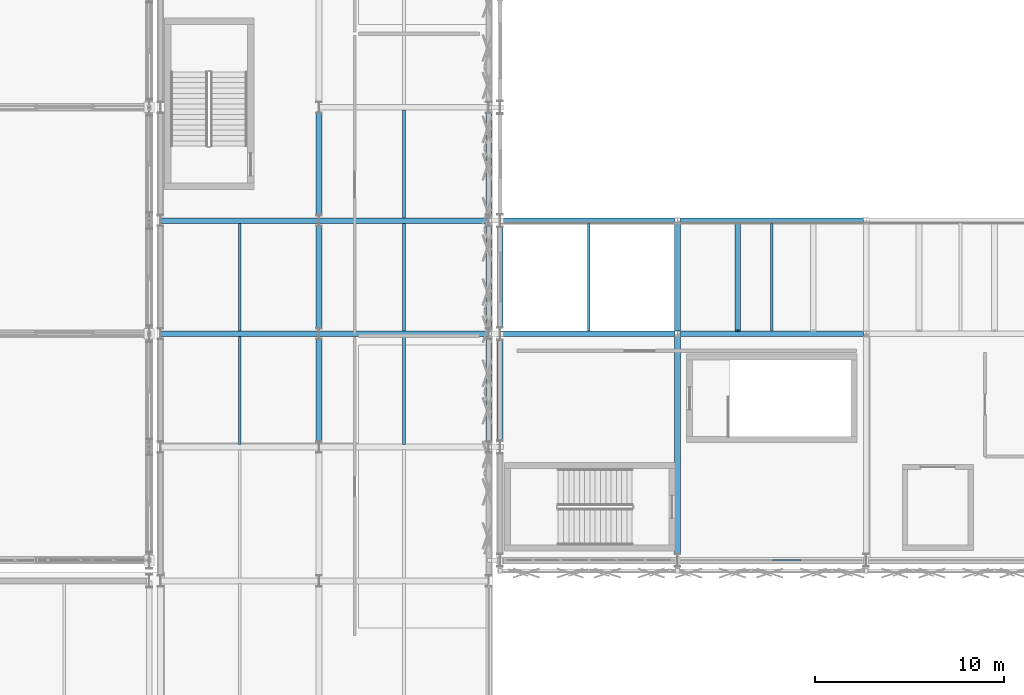
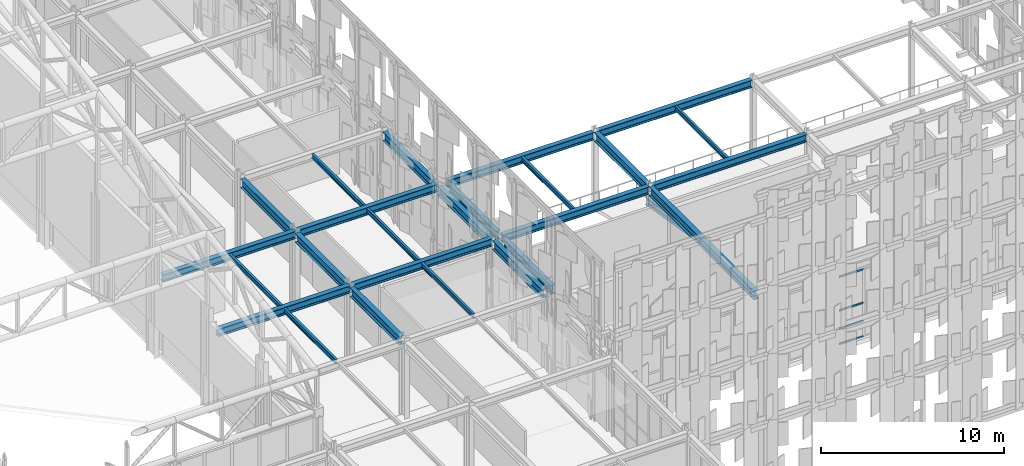
# One storey, part 159 of 239: 26 beams, 4 members, 1 element without a shape of its own.
"""IFC4 building model written with IfcOpenShell, lengths in metres."""

from ifc_helpers import new_model, si_unit, direction, frame, origin, origin_2d, place, context, subcontext, project, spatial, hollow_rectangle, i_section, extrude, material, material_profile, profile_set, type_object, element, aggregate, save


model = new_model("IFC4")

# Units and contexts
model_context = context("Model", 3, precision=1e-05, world=origin(), true_north=direction((0.0, 1.0)))
body_context = subcontext(model_context, "Body", "Model", "MODEL_VIEW")
ifc_project = project(units=[si_unit("LENGTHUNIT", "METRE"), si_unit("AREAUNIT", "SQUARE_METRE"), si_unit("VOLUMEUNIT", "CUBIC_METRE"), si_unit("PLANEANGLEUNIT", "RADIAN"), si_unit("MASSUNIT", "GRAM", prefix="KILO")], contexts=[model_context])

# Site, building, storey
site_placement = place(None, origin())
site = spatial("IfcSite", under=ifc_project, at=site_placement, CompositionType="ELEMENT")
building_placement = place(site_placement, origin())
building = spatial("IfcBuilding", under=site, at=building_placement, Name="Kaldris Quays Convention Centre", CompositionType="ELEMENT")
storey_placement = place(building_placement, frame((0.0, 0.0, 11.39990234375)))
storey = spatial("IfcBuildingStorey", under=building, at=storey_placement, Name="L02", CompositionType="ELEMENT", Elevation=11.39990234375)

# Curtain wall, members
ifc_material_1 = material(Name="Anodized aluminium AW-6060 and triple glazing", Category="aluminium")
curtain_wall_type = type_object("IfcCurtainWallType", Name="UNITISED CURTAIN WALL CW01", PredefinedType="NOTDEFINED", material=ifc_material_1)
curtain_wall_placement = place(storey_placement, origin())
curtain_wall = element("IfcCurtainWall", 1, at=curtain_wall_placement, inside=storey, type_object=curtain_wall_type, Name="L02 Unitised Curtain Wall CW01 30", PredefinedType="NOTDEFINED")
ifc_material_2 = material(Name="Anodized aluminium AW-6060", Category="aluminium")
ifc_material_profile_1 = material_profile(ifc_material_2, hollow_rectangle(XDim=0.06005859375, YDim=0.1201171875, WallThickness=0.00390625, at=origin_2d()), Name="RHS 120x60x4")
ifc_profile_set_1 = profile_set([ifc_material_profile_1], Name="Anodized aluminium AW-6060")
member_type = type_object("IfcMemberType", Name="CURTAIN TRANSOM CWT1", PredefinedType="USERDEFINED", material=ifc_profile_set_1)
member_1_placement = place(storey_placement, frame((179.030029296875, 56.0, 0.030029296875), z_axis=(1.0, 0.0, 0.0), x_axis=(0.0, 1.0, 0.0)))
member_1 = element("IfcMember", 2, at=member_1_placement, type_object=member_type, Name="CW01 transom 4.1", ObjectType="TRANSOM", PredefinedType="USERDEFINED", context=body_context, shape_type="SweptSolid", body=[
    extrude(hollow_rectangle(XDim=0.06005859375, YDim=0.1201171875, WallThickness=0.00390625, at=origin_2d()), origin(), (0.0, 0.0, 1.0), 1.523193359375),
])
member_2_placement = place(storey_placement, frame((179.030029296875, 56.0, 1.050048828125), z_axis=(1.0, 0.0, 0.0), x_axis=(0.0, 1.0, 0.0)))
member_2 = element("IfcMember", 3, at=member_2_placement, type_object=member_type, Name="CW01 transom 4.2", ObjectType="TRANSOM", PredefinedType="USERDEFINED", context=body_context, shape_type="SweptSolid", body=[
    extrude(hollow_rectangle(XDim=0.06005859375, YDim=0.1201171875, WallThickness=0.00390625, at=origin_2d()), origin(), (0.0, 0.0, 1.0), 1.523193359375),
])
member_3_placement = place(storey_placement, frame((179.030029296875, 56.0, 2.274169921875), z_axis=(1.0, 0.0, 0.0), x_axis=(0.0, 1.0, 0.0)))
member_3 = element("IfcMember", 4, at=member_3_placement, type_object=member_type, Name="CW01 transom 4.3", ObjectType="TRANSOM", PredefinedType="USERDEFINED", context=body_context, shape_type="SweptSolid", body=[
    extrude(hollow_rectangle(XDim=0.06005859375, YDim=0.1201171875, WallThickness=0.00390625, at=origin_2d()), origin(), (0.0, 0.0, 1.0), 1.523193359375),
])
member_4_placement = place(storey_placement, frame((179.030029296875, 56.0, 4.51806640625), z_axis=(1.0, 0.0, 0.0), x_axis=(0.0, 1.0, 0.0)))
member_4 = element("IfcMember", 5, at=member_4_placement, type_object=member_type, Name="CW01 transom 4.4", ObjectType="TRANSOM", PredefinedType="USERDEFINED", context=body_context, shape_type="SweptSolid", body=[
    extrude(hollow_rectangle(XDim=0.06005859375, YDim=0.1201171875, WallThickness=0.00390625, at=origin_2d()), origin(), (0.0, 0.0, 1.0), 1.523193359375),
])
aggregate(curtain_wall, [member_1, member_2, member_3, member_4])

# Beams
ifc_material_3 = material(Name="Steel S355J2", Category="steel")
ifc_material_profile_2 = material_profile(ifc_material_3, i_section(OverallWidth=0.300048828125, OverallDepth=0.5, WebThickness=0.014404296875, FlangeThickness=0.028076171875, FilletRadius=0.027099609375, at=origin_2d()), Name="HEB 500")
ifc_profile_set_2 = profile_set([ifc_material_profile_2], Name="Steel S355J2")
beam_type_1 = type_object("IfcBeamType", Name="STRUCTURAL BEAM BM06", PredefinedType="BEAM", material=ifc_profile_set_2)
beam_1_placement = place(storey_placement, frame((146.601806640625, 68.0, 4.9130859375), z_axis=(1.0, 0.0, 0.0), x_axis=(0.0, 1.0, 0.0)))
element("IfcBeam", 6, at=beam_1_placement, inside=storey, type_object=beam_type_1, Name="L02 Girder BM06 30", PredefinedType="BEAM", context=body_context, shape_type="SweptSolid", body=[
    extrude(i_section(OverallWidth=0.300048828125, OverallDepth=0.5, WebThickness=0.014404296875, FlangeThickness=0.028076171875, FilletRadius=0.027099609375, at=origin_2d()), origin(), (0.0, 0.0, 1.0), 8.396484375),
])
beam_2_placement = place(storey_placement, frame((155.001708984375, 68.0, 4.9130859375), z_axis=(1.0, 0.0, 0.0), x_axis=(0.0, 1.0, 0.0)))
element("IfcBeam", 7, at=beam_2_placement, inside=storey, type_object=beam_type_1, Name="L02 Girder BM06 31", PredefinedType="BEAM", context=body_context, shape_type="SweptSolid", body=[
    extrude(i_section(OverallWidth=0.300048828125, OverallDepth=0.5, WebThickness=0.014404296875, FlangeThickness=0.028076171875, FilletRadius=0.027099609375, at=origin_2d()), origin(), (0.0, 0.0, 1.0), 8.99658203125),
])
beam_3_placement = place(storey_placement, frame((146.601806640625, 74.0, 4.9130859375), z_axis=(1.0, 0.0, 0.0), x_axis=(0.0, 1.0, 0.0)))
element("IfcBeam", 8, at=beam_3_placement, inside=storey, type_object=beam_type_1, Name="L02 Girder BM06 32", PredefinedType="BEAM", context=body_context, shape_type="SweptSolid", body=[
    extrude(i_section(OverallWidth=0.300048828125, OverallDepth=0.5, WebThickness=0.014404296875, FlangeThickness=0.028076171875, FilletRadius=0.027099609375, at=origin_2d()), origin(), (0.0, 0.0, 1.0), 8.396484375),
])
beam_4_placement = place(storey_placement, frame((155.001708984375, 74.0, 4.9130859375), z_axis=(1.0, 0.0, 0.0), x_axis=(0.0, 1.0, 0.0)))
element("IfcBeam", 9, at=beam_4_placement, inside=storey, type_object=beam_type_1, Name="L02 Girder BM06 33", PredefinedType="BEAM", context=body_context, shape_type="SweptSolid", body=[
    extrude(i_section(OverallWidth=0.300048828125, OverallDepth=0.5, WebThickness=0.014404296875, FlangeThickness=0.028076171875, FilletRadius=0.027099609375, at=origin_2d()), origin(), (0.0, 0.0, 1.0), 8.99658203125),
])
beam_5_placement = place(storey_placement, frame((164.6025390625, 68.0, 4.9130859375), z_axis=(1.0, 0.0, 0.0), x_axis=(0.0, 1.0, 0.0)))
element("IfcBeam", 10, at=beam_5_placement, inside=storey, type_object=beam_type_1, Name="L02 Girder BM06 5", PredefinedType="BEAM", context=body_context, shape_type="SweptSolid", body=[
    extrude(i_section(OverallWidth=0.300048828125, OverallDepth=0.5, WebThickness=0.014404296875, FlangeThickness=0.028076171875, FilletRadius=0.027099609375, at=origin_2d()), origin(), (0.0, 0.0, 1.0), 9.25341796875),
])
beam_6_placement = place(storey_placement, frame((174.14404296875, 68.0, 4.9130859375), z_axis=(1.0, 0.0, 0.0), x_axis=(0.0, 1.0, 0.0)))
element("IfcBeam", 11, at=beam_6_placement, inside=storey, type_object=beam_type_1, Name="L02 Girder BM06 6", PredefinedType="BEAM", context=body_context, shape_type="SweptSolid", body=[
    extrude(i_section(OverallWidth=0.300048828125, OverallDepth=0.5, WebThickness=0.014404296875, FlangeThickness=0.028076171875, FilletRadius=0.027099609375, at=origin_2d()), origin(), (0.0, 0.0, 1.0), 9.7119140625),
])
beam_7_placement = place(storey_placement, frame((164.6025390625, 74.0, 4.9130859375), z_axis=(1.0, 0.0, 0.0), x_axis=(0.0, 1.0, 0.0)))
element("IfcBeam", 12, at=beam_7_placement, inside=storey, type_object=beam_type_1, Name="L02 Girder BM06 9", PredefinedType="BEAM", context=body_context, shape_type="SweptSolid", body=[
    extrude(i_section(OverallWidth=0.300048828125, OverallDepth=0.5, WebThickness=0.014404296875, FlangeThickness=0.028076171875, FilletRadius=0.027099609375, at=origin_2d()), origin(), (0.0, 0.0, 1.0), 9.25341796875),
])
beam_8_placement = place(storey_placement, frame((174.14404296875, 74.0, 4.9130859375), z_axis=(1.0, 0.0, 0.0), x_axis=(0.0, 1.0, 0.0)))
element("IfcBeam", 13, at=beam_8_placement, inside=storey, type_object=beam_type_1, Name="L02 Girder BM06 10", PredefinedType="BEAM", context=body_context, shape_type="SweptSolid", body=[
    extrude(i_section(OverallWidth=0.300048828125, OverallDepth=0.5, WebThickness=0.014404296875, FlangeThickness=0.028076171875, FilletRadius=0.027099609375, at=origin_2d()), origin(), (0.0, 0.0, 1.0), 9.7119140625),
])
ifc_material_profile_3 = material_profile(ifc_material_3, i_section(OverallWidth=0.300048828125, OverallDepth=0.590087890625, WebThickness=0.012939453125, FlangeThickness=0.02490234375, FilletRadius=0.027099609375, at=origin_2d()), Name="HEA 600")
ifc_profile_set_3 = profile_set([ifc_material_profile_3], Name="Steel S355J2")
beam_type_2 = type_object("IfcBeamType", Name="STRUCTURAL BEAM BM08", PredefinedType="BEAM", material=ifc_profile_set_3)
for number, where, z_axis, x_axis, name in (
    (14, (155.0, 62.2939453125, 4.8681640625), (0.0, 1.0, 0.0), (-1.0, 0.0, 0.0), "L02 Girder BM08 81"),
    (15, (155.0, 68.2939453125, 4.8681640625), (0.0, 1.0, 0.0), (-1.0, 0.0, 0.0), "L02 Girder BM08 82"),
    (16, (155.0, 74.2939453125, 4.8681640625), (0.0, 1.0, 0.0), (-1.0, 0.0, 0.0), "L02 Girder BM08 83"),
    (17, (164.0, 62.2939453125, 4.8681640625), (0.0, 1.0, 0.0), (-1.0, 0.0, 0.0), "L02 Girder BM08 93"),
    (18, (164.0, 68.2939453125, 4.8681640625), (0.0, 1.0, 0.0), (-1.0, 0.0, 0.0), "L02 Girder BM08 94"),
    (19, (164.0, 74.2939453125, 4.8681640625), (0.0, 1.0, 0.0), (-1.0, 0.0, 0.0), "L02 Girder BM08 95"),
):
    element("IfcBeam", number, at=place(storey_placement, frame(where, z_axis=z_axis, x_axis=x_axis)), inside=storey, type_object=beam_type_2, Name=name, PredefinedType="BEAM", context=body_context, shape_type="SweptSolid", body=[
        extrude(i_section(OverallWidth=0.300048828125, OverallDepth=0.590087890625, WebThickness=0.012939453125, FlangeThickness=0.02490234375, FilletRadius=0.027099609375, at=origin_2d()), origin(), (0.0, 0.0, 1.0), 5.412109375),
    ])
for number, where, z_axis, x_axis, name in (
    (20, (164.60009765625, 62.343994140625, 4.8681640625), (0.0, 1.0, 0.0), (-1.0, 0.0, 0.0), "L02 Girder BM08 14"),
    (21, (164.60009765625, 68.343994140625, 4.8681640625), (0.0, 1.0, 0.0), (-1.0, 0.0, 0.0), "L02 Girder BM08 15"),
):
    element("IfcBeam", number, at=place(storey_placement, frame(where, z_axis=z_axis, x_axis=x_axis)), inside=storey, type_object=beam_type_2, Name=name, PredefinedType="BEAM", context=body_context, shape_type="SweptSolid", body=[
        extrude(i_section(OverallWidth=0.300048828125, OverallDepth=0.590087890625, WebThickness=0.012939453125, FlangeThickness=0.02490234375, FilletRadius=0.027099609375, at=origin_2d()), origin(), (0.0, 0.0, 1.0), 5.31201171875),
    ])
beam_9_placement = place(storey_placement, frame((174.0, 56.343994140625, 4.8681640625), z_axis=(0.0, 1.0, 0.0), x_axis=(-1.0, 0.0, 0.0)))
element("IfcBeam", 22, at=beam_9_placement, inside=storey, type_object=beam_type_2, Name="L02 Girder BM08 16", PredefinedType="BEAM", context=body_context, shape_type="SweptSolid", body=[
    extrude(i_section(OverallWidth=0.300048828125, OverallDepth=0.590087890625, WebThickness=0.012939453125, FlangeThickness=0.02490234375, FilletRadius=0.027099609375, at=origin_2d()), origin(), (0.0, 0.0, 1.0), 11.51708984375),
])
beam_10_placement = place(storey_placement, frame((174.0, 68.138916015625, 4.8681640625), z_axis=(0.0, 1.0, 0.0), x_axis=(-1.0, 0.0, 0.0)))
element("IfcBeam", 23, at=beam_10_placement, inside=storey, type_object=beam_type_2, Name="L02 Girder BM08 17", PredefinedType="BEAM", context=body_context, shape_type="SweptSolid", body=[
    extrude(i_section(OverallWidth=0.300048828125, OverallDepth=0.590087890625, WebThickness=0.012939453125, FlangeThickness=0.02490234375, FilletRadius=0.027099609375, at=origin_2d()), origin(), (0.0, 0.0, 1.0), 5.72216796875),
])
ifc_material_profile_4 = material_profile(ifc_material_3, i_section(OverallWidth=0.14990234375, OverallDepth=0.300048828125, WebThickness=0.007080078125, FlangeThickness=0.0107421875, FilletRadius=0.014892578125, at=origin_2d()), Name="IPE 300")
ifc_profile_set_4 = profile_set([ifc_material_profile_4], Name="Steel S355J2")
beam_type_3 = type_object("IfcBeamType", Name="STRUCTURAL BEAM JT04", PredefinedType="JOIST", material=ifc_profile_set_4)
for number, where, z_axis, x_axis, name in (
    (24, (150.800048828125, 62.14404296875, 5.01318359375), (0.0, 1.0, 0.0), (-1.0, 0.0, 0.0), "L02 Secondary Joist JT04 14"),
    (25, (159.5, 62.14404296875, 5.01318359375), (0.0, 1.0, 0.0), (-1.0, 0.0, 0.0), "L02 Secondary Joist JT04 15"),
    (26, (150.800048828125, 68.14404296875, 5.01318359375), (0.0, 1.0, 0.0), (-1.0, 0.0, 0.0), "L02 Secondary Joist JT04 16"),
    (27, (159.5, 68.14404296875, 5.01318359375), (0.0, 1.0, 0.0), (-1.0, 0.0, 0.0), "L02 Secondary Joist JT04 17"),
    (28, (159.5, 74.14404296875, 5.01318359375), (0.0, 1.0, 0.0), (-1.0, 0.0, 0.0), "L02 Secondary Joist JT04 18"),
    (29, (169.300048828125, 68.14404296875, 5.01318359375), (0.0, 1.0, 0.0), (-1.0, 0.0, 0.0), "L02 Secondary Joist JT04 1"),
    (30, (179.0, 68.14404296875, 5.01318359375), (0.0, 1.0, 0.0), (-1.0, 0.0, 0.0), "L02 Secondary Joist JT04 2"),
):
    element("IfcBeam", number, at=place(storey_placement, frame(where, z_axis=z_axis, x_axis=x_axis)), inside=storey, type_object=beam_type_3, Name=name, PredefinedType="JOIST", context=body_context, shape_type="SweptSolid", body=[
        extrude(i_section(OverallWidth=0.14990234375, OverallDepth=0.300048828125, WebThickness=0.007080078125, FlangeThickness=0.0107421875, FilletRadius=0.014892578125, at=origin_2d()), origin(), (0.0, 0.0, 1.0), 5.7119140625),
    ])
ifc_material_profile_5 = material_profile(ifc_material_3, i_section(OverallWidth=0.300048828125, OverallDepth=0.5, WebThickness=0.014404296875, FlangeThickness=0.028076171875, FilletRadius=0.027099609375, at=origin_2d()), Name="HEB 500")
ifc_profile_set_5 = profile_set([ifc_material_profile_5], Name="Steel S355J2")
beam_type_4 = type_object("IfcBeamType", Name="STRUCTURAL BEAM RK01", PredefinedType="BEAM", material=ifc_profile_set_5)
beam_11_placement = place(storey_placement, frame((177.199951171875, 68.159912109375, 0.43017578125), z_axis=(0.0, 0.986855402616, -0.161605737298), x_axis=(-1.0, 0.0, 0.0)))
element("IfcBeam", 31, at=beam_11_placement, inside=storey, type_object=beam_type_4, Name="L02 Plenary Upper RAKER Beam 1", PredefinedType="BEAM", context=body_context, shape_type="SweptSolid", body=[
    extrude(i_section(OverallWidth=0.300048828125, OverallDepth=0.5, WebThickness=0.014404296875, FlangeThickness=0.028076171875, FilletRadius=0.027099609375, at=origin_2d()), origin(), (0.0, 0.0, 1.0), 5.755859375),
])

save(model, "model.ifc")
